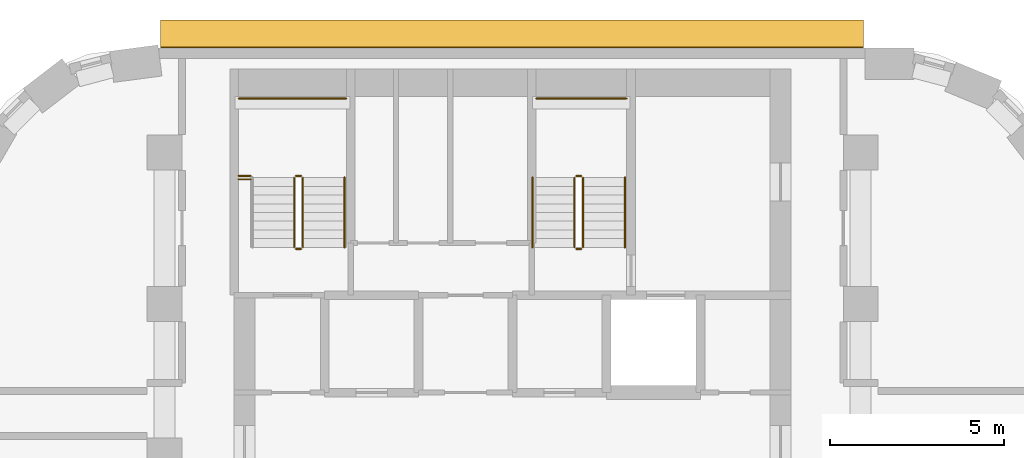
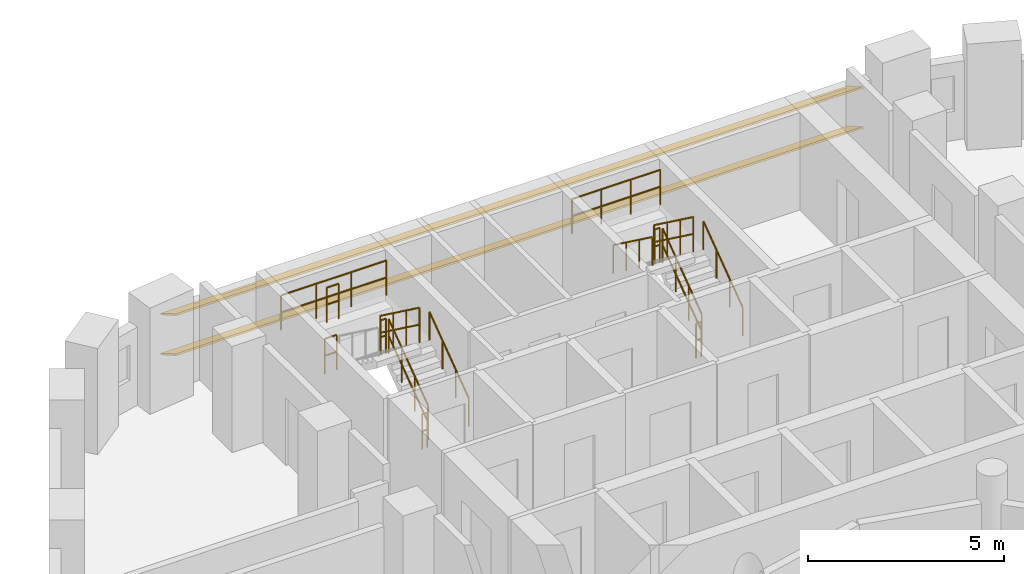
# One storey, part 12 of 12: 15 railings, 2 shading devices.
"""IFC4 building model written with IfcOpenShell, lengths in metres."""

from ifc_helpers import new_model, si_unit, direction, frame, origin, origin_2d, place, context, subcontext, project, spatial, rectangle, circle, extrude, material, material_profile, profile_set, type_object, element, save


model = new_model("IFC4")

# Units and contexts
model_context = context("Model", 3, precision=1e-05, world=origin(), true_north=direction((0.0, 1.0)))
body_context = subcontext(model_context, "Body", "Model", "MODEL_VIEW")
ifc_project = project(units=[si_unit("LENGTHUNIT", "METRE"), si_unit("AREAUNIT", "SQUARE_METRE"), si_unit("VOLUMEUNIT", "CUBIC_METRE"), si_unit("PLANEANGLEUNIT", "RADIAN"), si_unit("MASSUNIT", "GRAM", prefix="KILO")], contexts=[model_context])

# Site, building, storey
site_placement = place(None, origin())
site = spatial("IfcSite", under=ifc_project, at=site_placement, CompositionType="ELEMENT")
building_placement = place(site_placement, origin())
building = spatial("IfcBuilding", under=site, at=building_placement, Name="Nakaniwa Court", CompositionType="ELEMENT")
storey_placement = place(building_placement, frame((0.0, 0.0, 87.60009765625)))
storey = spatial("IfcBuildingStorey", under=building, at=storey_placement, Name="L22", CompositionType="ELEMENT", Elevation=87.60009765625)

# Shading devices
ifc_material_1 = material(Name="Perforated charcoal ceramic louvre blade")
ifc_material_profile = material_profile(ifc_material_1, rectangle(XDim=0.89990234375, YDim=0.050048828125, at=origin_2d()), Name="Perforated ceramic louvre blade")
ifc_profile_set = profile_set([ifc_material_profile], Name="Perforated charcoal ceramic louvre blade")
shading_device_type = type_object("IfcShadingDeviceType", Name="Perforated ceramic louvre blade", PredefinedType="JALOUSIE", material=ifc_profile_set)
for number, where, z_axis, x_axis, name in (
    (1, (90.07861328125, 104.402099609375, 0.5498046875), (-1.0, 0.0, 0.0), (0.0, -0.866025403784, 0.5), "L22 perforated ceramic louvre blade w08 1"),
    (2, (90.07861328125, 104.402099609375, 1.793212890625), (-1.0, 0.0, 0.0), (0.0, -0.866025403784, 0.5), "L22 perforated ceramic louvre blade w08 2"),
):
    element("IfcShadingDevice", number, at=place(storey_placement, frame(where, z_axis=z_axis, x_axis=x_axis)), inside=storey, type_object=shading_device_type, Name=name, PredefinedType="JALOUSIE", context=body_context, shape_type="SweptSolid", body=[
        extrude(rectangle(XDim=0.89990234375, YDim=0.050048828125, at=origin_2d()), origin(), (0.0, 0.0, 1.0), 20.19091796875),
    ])

# Railings
ifc_material_2 = material(Name="Black powder coated steel guard", Category="steel")
railing_type_1 = type_object("IfcRailingType", Name="Stair guard 1100", PredefinedType="GUARDRAIL", material=ifc_material_2)
railing_1_placement = place(storey_placement, frame((73.97509765625, 98.27490234375, 0.183349609375)))
element("IfcRailing", 3, at=railing_1_placement, inside=storey, type_object=railing_type_1, Name="L22 ST1 stair guard 1", PredefinedType="GUARDRAIL", context=body_context, shape_type="SweptSolid", body=[
    extrude(circle(Radius=0.02392578125, at=origin_2d()), frame((0.0, 0.0, 1.076171875), z_axis=(0.0, 0.806426902644, 0.591333789573), x_axis=(-1.0, 0.0, 0.0)), (0.0, 0.0, 1.0), 2.47998046875),
    extrude(circle(Radius=0.02392578125, at=origin_2d()), frame((0.0, 0.0, 0.550048828125), z_axis=(0.0, 0.806426902644, 0.591333789573), x_axis=(-1.0, 0.0, 0.0)), (0.0, 0.0, 1.0), 2.47998046875),
    extrude(circle(Radius=0.02099609375, at=origin_2d()), origin(), (0.0, 0.0, 1.0), 1.052001953125),
    extrude(circle(Radius=0.02099609375, at=origin_2d()), frame((0.0, 0.666748046875, 0.48876953125)), (0.0, 0.0, 1.0), 1.052001953125),
    extrude(circle(Radius=0.02099609375, at=origin_2d()), frame((0.0, 1.333251953125, 0.977783203125)), (0.0, 0.0, 1.0), 1.052001953125),
    extrude(circle(Radius=0.02099609375, at=origin_2d()), frame((0.0, 2.0, 1.466552734375)), (0.0, 0.0, 1.0), 1.052001953125),
])
railing_2_placement = place(storey_placement, frame((73.925048828125, 100.324951171875, 1.64990234375)))
element("IfcRailing", 4, at=railing_2_placement, inside=storey, type_object=railing_type_1, Name="L22 ST1 stair guard 2", PredefinedType="GUARDRAIL", context=body_context, shape_type="SweptSolid", body=[
    extrude(circle(Radius=0.02392578125, at=origin_2d()), frame((0.0, 0.0, 1.076171875), z_axis=(-1.0, 0.0, 0.0), x_axis=(0.0, -1.0, 0.0)), (0.0, 0.0, 1.0), 0.150146484375),
    extrude(circle(Radius=0.02392578125, at=origin_2d()), frame((0.0, 0.0, 0.550048828125), z_axis=(-1.0, 0.0, 0.0), x_axis=(0.0, -1.0, 0.0)), (0.0, 0.0, 1.0), 0.150146484375),
    extrude(circle(Radius=0.02099609375, at=origin_2d()), origin(), (0.0, 0.0, 1.0), 1.052001953125),
    extrude(circle(Radius=0.02099609375, at=origin_2d()), frame((-0.150146484375, 0.0, 0.0)), (0.0, 0.0, 1.0), 1.052001953125),
])
railing_3_placement = place(storey_placement, frame((73.72509765625, 100.27490234375, 1.833251953125)))
element("IfcRailing", 5, at=railing_3_placement, inside=storey, type_object=railing_type_1, Name="L22 ST1 stair guard 3", PredefinedType="GUARDRAIL", context=body_context, shape_type="SweptSolid", body=[
    extrude(circle(Radius=0.02392578125, at=origin_2d()), frame((0.0, 0.0, 1.076171875), z_axis=(0.0, -0.806426902644, 0.591333789573), x_axis=(1.0, 0.0, 0.0)), (0.0, 0.0, 1.0), 2.47998046875),
    extrude(circle(Radius=0.02392578125, at=origin_2d()), frame((0.0, 0.0, 0.550048828125), z_axis=(0.0, -0.806426902644, 0.591333789573), x_axis=(1.0, 0.0, 0.0)), (0.0, 0.0, 1.0), 2.47998046875),
    extrude(circle(Radius=0.02099609375, at=origin_2d()), origin(), (0.0, 0.0, 1.0), 1.052001953125),
    extrude(circle(Radius=0.02099609375, at=origin_2d()), frame((0.0, -0.666748046875, 0.48876953125)), (0.0, 0.0, 1.0), 1.052001953125),
    extrude(circle(Radius=0.02099609375, at=origin_2d()), frame((0.0, -1.333251953125, 0.977783203125)), (0.0, 0.0, 1.0), 1.052001953125),
    extrude(circle(Radius=0.02099609375, at=origin_2d()), frame((0.0, -2.0, 1.466552734375)), (0.0, 0.0, 1.0), 1.052001953125),
])
railing_4_placement = place(storey_placement, frame((73.925048828125, 98.22509765625, 0.0)))
element("IfcRailing", 6, at=railing_4_placement, inside=storey, type_object=railing_type_1, Name="L22 ST1 stair guard 4", PredefinedType="GUARDRAIL", context=body_context, shape_type="SweptSolid", body=[
    extrude(circle(Radius=0.02392578125, at=origin_2d()), frame((0.0, 0.0, 1.076171875), z_axis=(-1.0, 0.0, 0.0), x_axis=(0.0, -1.0, 0.0)), (0.0, 0.0, 1.0), 0.150146484375),
    extrude(circle(Radius=0.02392578125, at=origin_2d()), frame((0.0, 0.0, 0.550048828125), z_axis=(-1.0, 0.0, 0.0), x_axis=(0.0, -1.0, 0.0)), (0.0, 0.0, 1.0), 0.150146484375),
    extrude(circle(Radius=0.02099609375, at=origin_2d()), origin(), (0.0, 0.0, 1.0), 1.052001953125),
    extrude(circle(Radius=0.02099609375, at=origin_2d()), frame((-0.150146484375, 0.0, 0.0)), (0.0, 0.0, 1.0), 1.052001953125),
])
railing_5_placement = place(storey_placement, frame((72.125, 102.550048828125, 1.64990234375)))
element("IfcRailing", 7, at=railing_5_placement, inside=storey, type_object=railing_type_1, Name="L22 ST1 landing end guard 1", PredefinedType="GUARDRAIL", context=body_context, shape_type="SweptSolid", body=[
    extrude(circle(Radius=0.02392578125, at=origin_2d()), frame((0.0, 0.0, 1.076171875), z_axis=(1.0, 0.0, 0.0), x_axis=(0.0, 1.0, 0.0)), (0.0, 0.0, 1.0), 3.10009765625),
    extrude(circle(Radius=0.02392578125, at=origin_2d()), frame((0.0, 0.0, 0.550048828125), z_axis=(1.0, 0.0, 0.0), x_axis=(0.0, 1.0, 0.0)), (0.0, 0.0, 1.0), 3.10009765625),
    extrude(circle(Radius=0.02099609375, at=origin_2d()), origin(), (0.0, 0.0, 1.0), 1.052001953125),
    extrude(circle(Radius=0.02099609375, at=origin_2d()), frame((1.033447265625, 0.0, 0.0)), (0.0, 0.0, 1.0), 1.052001953125),
    extrude(circle(Radius=0.02099609375, at=origin_2d()), frame((2.066650390625, 0.0, 0.0)), (0.0, 0.0, 1.0), 1.052001953125),
    extrude(circle(Radius=0.02099609375, at=origin_2d()), frame((3.10009765625, 0.0, 0.0)), (0.0, 0.0, 1.0), 1.052001953125),
])
for number, where, name in (
    (8, (72.125, 100.324951171875, 1.64990234375), "L22 ST1 landing side guard 1W"),
    (9, (72.125, 100.22509765625, 3.2998046875), "L22 ST1 floor edge guard 1W"),
):
    element("IfcRailing", number, at=place(storey_placement, frame(where)), inside=storey, type_object=railing_type_1, Name=name, PredefinedType="GUARDRAIL", context=body_context, shape_type="SweptSolid", body=[
        extrude(circle(Radius=0.02392578125, at=origin_2d()), frame((0.0, 0.0, 1.076171875), z_axis=(1.0, 0.0, 0.0), x_axis=(0.0, 1.0, 0.0)), (0.0, 0.0, 1.0), 0.35009765625),
        extrude(circle(Radius=0.02392578125, at=origin_2d()), frame((0.0, 0.0, 0.550048828125), z_axis=(1.0, 0.0, 0.0), x_axis=(0.0, 1.0, 0.0)), (0.0, 0.0, 1.0), 0.35009765625),
        extrude(circle(Radius=0.02099609375, at=origin_2d()), origin(), (0.0, 0.0, 1.0), 1.052001953125),
        extrude(circle(Radius=0.02099609375, at=origin_2d()), frame((0.35009765625, 0.0, 0.0)), (0.0, 0.0, 1.0), 1.052001953125),
    ])
railing_6_placement = place(storey_placement, frame((82.02490234375, 98.27490234375, 0.183349609375)))
element("IfcRailing", 10, at=railing_6_placement, inside=storey, type_object=railing_type_1, Name="L22 ST2 stair guard 1", PredefinedType="GUARDRAIL", context=body_context, shape_type="SweptSolid", body=[
    extrude(circle(Radius=0.02392578125, at=origin_2d()), frame((0.0, 0.0, 1.076171875), z_axis=(0.0, 0.806426902644, 0.591333789573), x_axis=(-1.0, 0.0, 0.0)), (0.0, 0.0, 1.0), 2.47998046875),
    extrude(circle(Radius=0.02392578125, at=origin_2d()), frame((0.0, 0.0, 0.550048828125), z_axis=(0.0, 0.806426902644, 0.591333789573), x_axis=(-1.0, 0.0, 0.0)), (0.0, 0.0, 1.0), 2.47998046875),
    extrude(circle(Radius=0.02099609375, at=origin_2d()), origin(), (0.0, 0.0, 1.0), 1.052001953125),
    extrude(circle(Radius=0.02099609375, at=origin_2d()), frame((0.0, 0.666748046875, 0.48876953125)), (0.0, 0.0, 1.0), 1.052001953125),
    extrude(circle(Radius=0.02099609375, at=origin_2d()), frame((0.0, 1.333251953125, 0.977783203125)), (0.0, 0.0, 1.0), 1.052001953125),
    extrude(circle(Radius=0.02099609375, at=origin_2d()), frame((0.0, 2.0, 1.466552734375)), (0.0, 0.0, 1.0), 1.052001953125),
])
railing_7_placement = place(storey_placement, frame((81.97509765625, 100.324951171875, 1.64990234375)))
element("IfcRailing", 11, at=railing_7_placement, inside=storey, type_object=railing_type_1, Name="L22 ST2 stair guard 2", PredefinedType="GUARDRAIL", context=body_context, shape_type="SweptSolid", body=[
    extrude(circle(Radius=0.02392578125, at=origin_2d()), frame((0.0, 0.0, 1.076171875), z_axis=(-1.0, 0.0, 0.0), x_axis=(0.0, -1.0, 0.0)), (0.0, 0.0, 1.0), 0.150146484375),
    extrude(circle(Radius=0.02392578125, at=origin_2d()), frame((0.0, 0.0, 0.550048828125), z_axis=(-1.0, 0.0, 0.0), x_axis=(0.0, -1.0, 0.0)), (0.0, 0.0, 1.0), 0.150146484375),
    extrude(circle(Radius=0.02099609375, at=origin_2d()), origin(), (0.0, 0.0, 1.0), 1.052001953125),
    extrude(circle(Radius=0.02099609375, at=origin_2d()), frame((-0.150146484375, 0.0, 0.0)), (0.0, 0.0, 1.0), 1.052001953125),
])
railing_8_placement = place(storey_placement, frame((81.77490234375, 100.27490234375, 1.833251953125)))
element("IfcRailing", 12, at=railing_8_placement, inside=storey, type_object=railing_type_1, Name="L22 ST2 stair guard 3", PredefinedType="GUARDRAIL", context=body_context, shape_type="SweptSolid", body=[
    extrude(circle(Radius=0.02392578125, at=origin_2d()), frame((0.0, 0.0, 1.076171875), z_axis=(0.0, -0.806426902644, 0.591333789573), x_axis=(1.0, 0.0, 0.0)), (0.0, 0.0, 1.0), 2.47998046875),
    extrude(circle(Radius=0.02392578125, at=origin_2d()), frame((0.0, 0.0, 0.550048828125), z_axis=(0.0, -0.806426902644, 0.591333789573), x_axis=(1.0, 0.0, 0.0)), (0.0, 0.0, 1.0), 2.47998046875),
    extrude(circle(Radius=0.02099609375, at=origin_2d()), origin(), (0.0, 0.0, 1.0), 1.052001953125),
    extrude(circle(Radius=0.02099609375, at=origin_2d()), frame((0.0, -0.666748046875, 0.48876953125)), (0.0, 0.0, 1.0), 1.052001953125),
    extrude(circle(Radius=0.02099609375, at=origin_2d()), frame((0.0, -1.333251953125, 0.977783203125)), (0.0, 0.0, 1.0), 1.052001953125),
    extrude(circle(Radius=0.02099609375, at=origin_2d()), frame((0.0, -2.0, 1.466552734375)), (0.0, 0.0, 1.0), 1.052001953125),
])
railing_9_placement = place(storey_placement, frame((81.97509765625, 98.22509765625, 0.0)))
element("IfcRailing", 13, at=railing_9_placement, inside=storey, type_object=railing_type_1, Name="L22 ST2 stair guard 4", PredefinedType="GUARDRAIL", context=body_context, shape_type="SweptSolid", body=[
    extrude(circle(Radius=0.02392578125, at=origin_2d()), frame((0.0, 0.0, 1.076171875), z_axis=(-1.0, 0.0, 0.0), x_axis=(0.0, -1.0, 0.0)), (0.0, 0.0, 1.0), 0.150146484375),
    extrude(circle(Radius=0.02392578125, at=origin_2d()), frame((0.0, 0.0, 0.550048828125), z_axis=(-1.0, 0.0, 0.0), x_axis=(0.0, -1.0, 0.0)), (0.0, 0.0, 1.0), 0.150146484375),
    extrude(circle(Radius=0.02099609375, at=origin_2d()), origin(), (0.0, 0.0, 1.0), 1.052001953125),
    extrude(circle(Radius=0.02099609375, at=origin_2d()), frame((-0.150146484375, 0.0, 0.0)), (0.0, 0.0, 1.0), 1.052001953125),
])
railing_10_placement = place(storey_placement, frame((80.675048828125, 102.550048828125, 1.64990234375)))
element("IfcRailing", 14, at=railing_10_placement, inside=storey, type_object=railing_type_1, Name="L22 ST2 landing end guard 1", PredefinedType="GUARDRAIL", context=body_context, shape_type="SweptSolid", body=[
    extrude(circle(Radius=0.02392578125, at=origin_2d()), frame((0.0, 0.0, 1.076171875), z_axis=(1.0, 0.0, 0.0), x_axis=(0.0, 1.0, 0.0)), (0.0, 0.0, 1.0), 2.599853515625),
    extrude(circle(Radius=0.02392578125, at=origin_2d()), frame((0.0, 0.0, 0.550048828125), z_axis=(1.0, 0.0, 0.0), x_axis=(0.0, 1.0, 0.0)), (0.0, 0.0, 1.0), 2.599853515625),
    extrude(circle(Radius=0.02099609375, at=origin_2d()), origin(), (0.0, 0.0, 1.0), 1.052001953125),
    extrude(circle(Radius=0.02099609375, at=origin_2d()), frame((0.86669921875, 0.0, 0.0)), (0.0, 0.0, 1.0), 1.052001953125),
    extrude(circle(Radius=0.02099609375, at=origin_2d()), frame((1.733154296875, 0.0, 0.0)), (0.0, 0.0, 1.0), 1.052001953125),
    extrude(circle(Radius=0.02099609375, at=origin_2d()), frame((2.599853515625, 0.0, 0.0)), (0.0, 0.0, 1.0), 1.052001953125),
])
ifc_material_3 = material(Name="Black powder coated steel handrail", Category="steel")
railing_type_2 = type_object("IfcRailingType", Name="Stair handrail 900", PredefinedType="HANDRAIL", material=ifc_material_3)
for number, where, name in (
    (15, (75.175048828125, 98.27490234375, 0.183349609375), "L22 ST1 stair handrail 1"),
    (16, (83.22509765625, 98.27490234375, 0.183349609375), "L22 ST2 stair handrail 1"),
):
    element("IfcRailing", number, at=place(storey_placement, frame(where)), inside=storey, type_object=railing_type_2, Name=name, PredefinedType="HANDRAIL", context=body_context, shape_type="SweptSolid", body=[
        extrude(circle(Radius=0.02392578125, at=origin_2d()), frame((0.0, 0.0, 0.8759765625), z_axis=(0.0, 0.806426902644, 0.591333789573), x_axis=(-1.0, 0.0, 0.0)), (0.0, 0.0, 1.0), 2.47998046875),
        extrude(circle(Radius=0.02099609375, at=origin_2d()), origin(), (0.0, 0.0, 1.0), 0.851806640625),
        extrude(circle(Radius=0.02099609375, at=origin_2d()), frame((0.0, 0.666748046875, 0.48876953125)), (0.0, 0.0, 1.0), 0.851806640625),
        extrude(circle(Radius=0.02099609375, at=origin_2d()), frame((0.0, 1.333251953125, 0.977783203125)), (0.0, 0.0, 1.0), 0.851806640625),
        extrude(circle(Radius=0.02099609375, at=origin_2d()), frame((0.0, 2.0, 1.466552734375)), (0.0, 0.0, 1.0), 0.851806640625),
    ])
railing_11_placement = place(storey_placement, frame((80.574951171875, 100.27490234375, 1.833251953125)))
element("IfcRailing", 17, at=railing_11_placement, inside=storey, type_object=railing_type_2, Name="L22 ST2 stair handrail 2", PredefinedType="HANDRAIL", context=body_context, shape_type="SweptSolid", body=[
    extrude(circle(Radius=0.02392578125, at=origin_2d()), frame((0.0, 0.0, 0.8759765625), z_axis=(0.0, -0.806426902644, 0.591333789573), x_axis=(1.0, 0.0, 0.0)), (0.0, 0.0, 1.0), 2.47998046875),
    extrude(circle(Radius=0.02099609375, at=origin_2d()), origin(), (0.0, 0.0, 1.0), 0.851806640625),
    extrude(circle(Radius=0.02099609375, at=origin_2d()), frame((0.0, -0.666748046875, 0.48876953125)), (0.0, 0.0, 1.0), 0.851806640625),
    extrude(circle(Radius=0.02099609375, at=origin_2d()), frame((0.0, -1.333251953125, 0.977783203125)), (0.0, 0.0, 1.0), 0.851806640625),
    extrude(circle(Radius=0.02099609375, at=origin_2d()), frame((0.0, -2.0, 1.466552734375)), (0.0, 0.0, 1.0), 0.851806640625),
])

save(model, "model.ifc")
